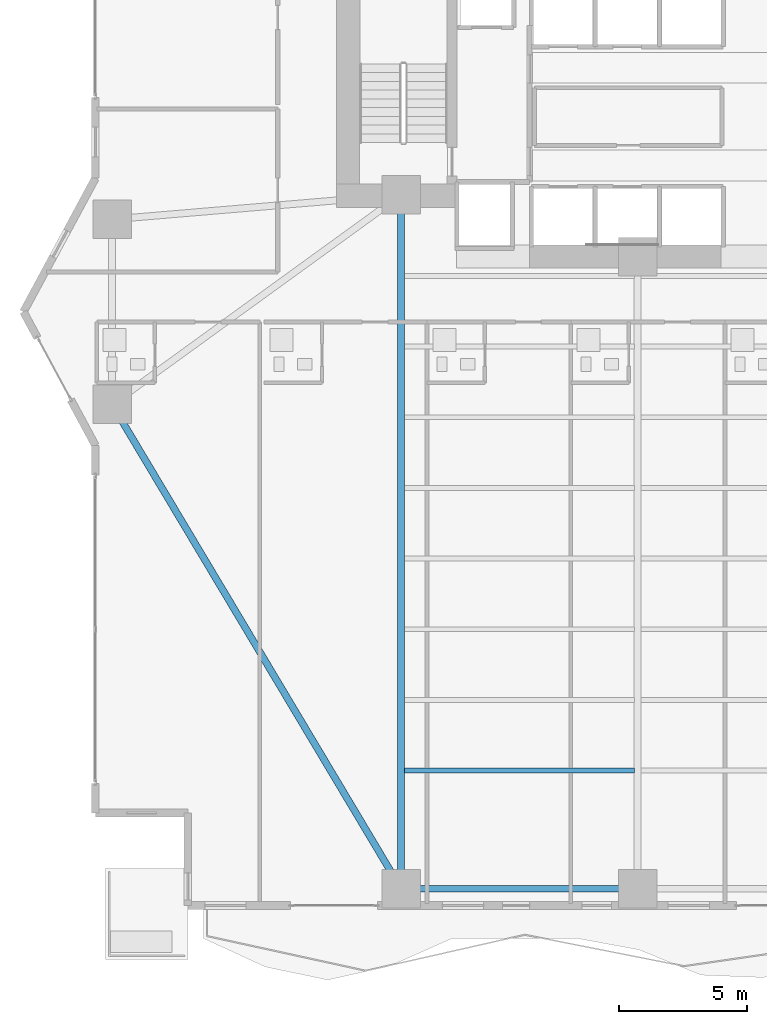
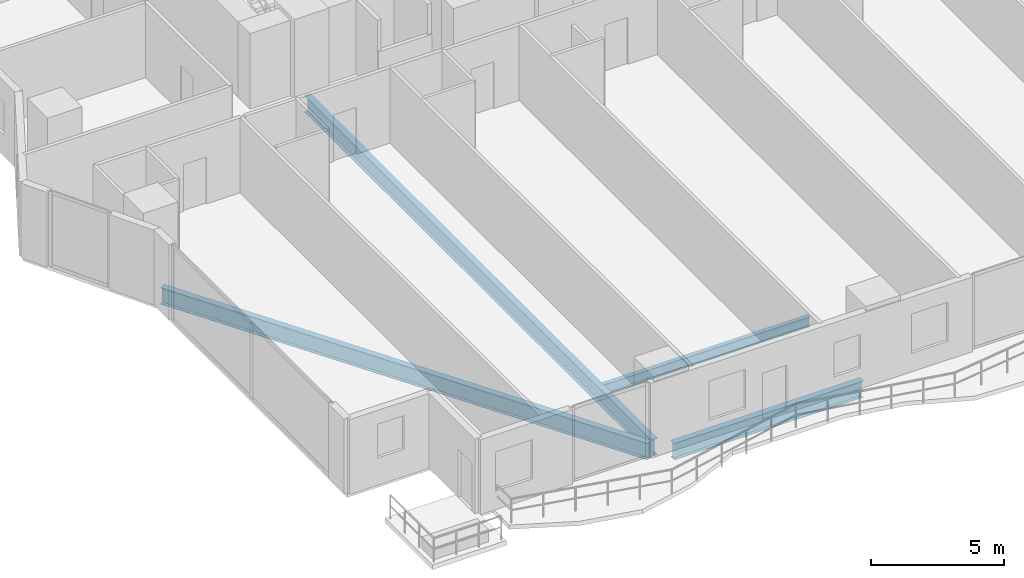
# One storey, part 3 of 28: 4 beams.
"""IFC4 building model written with IfcOpenShell, lengths in metres."""

from ifc_helpers import new_model, si_unit, direction, frame, origin, origin_2d, place, context, subcontext, project, spatial, i_section, extrude, material, material_profile, profile_set, type_object, element, save


model = new_model("IFC4")

# Units and contexts
model_context = context("Model", 3, precision=1e-05, world=origin(), true_north=direction((0.0, 1.0)))
body_context = subcontext(model_context, "Body", "Model", "MODEL_VIEW")
ifc_project = project(units=[si_unit("LENGTHUNIT", "METRE"), si_unit("AREAUNIT", "SQUARE_METRE"), si_unit("VOLUMEUNIT", "CUBIC_METRE"), si_unit("PLANEANGLEUNIT", "RADIAN"), si_unit("MASSUNIT", "GRAM", prefix="KILO")], contexts=[model_context])

# Site, building, storey
site_placement = place(None, origin())
site = spatial("IfcSite", under=ifc_project, at=site_placement, CompositionType="ELEMENT")
building_placement = place(site_placement, origin())
building = spatial("IfcBuilding", under=site, at=building_placement, Name="Zuhayl Quay Hotel", CompositionType="ELEMENT")
storey_placement = place(building_placement, frame((0.0, 0.0, 31.25)))
storey = spatial("IfcBuildingStorey", under=building, at=storey_placement, Name="L06", CompositionType="ELEMENT", Elevation=31.25)

# Beams
ifc_material = material(Name="Steel ASTM A992 Grade 50", Category="steel")
ifc_material_profile_1 = material_profile(ifc_material, i_section(OverallWidth=0.26708984375, OverallDepth=0.761962890625, WebThickness=0.014404296875, FlangeThickness=0.021484375, at=origin_2d()), Name="W30X116")
ifc_profile_set_1 = profile_set([ifc_material_profile_1], Name="Steel ASTM A992 Grade 50")
beam_type_1 = type_object("IfcBeamType", Name="BM_B1_W30X116", PredefinedType="BEAM", material=ifc_profile_set_1)
beam_1_placement = place(storey_placement, frame((-13.300048828125, -22.449951171875, -0.60107421875), z_axis=(1.0, 0.0, 0.0), x_axis=(0.0, 1.0, 0.0)))
element("IfcBeam", 1, at=beam_1_placement, inside=storey, type_object=beam_type_1, Name="L06 Floor Beam RG_L06_01", PredefinedType="BEAM", context=body_context, shape_type="SweptSolid", body=[
    extrude(i_section(OverallWidth=0.26708984375, OverallDepth=0.761962890625, WebThickness=0.014404296875, FlangeThickness=0.021484375, at=origin_2d()), origin(), (0.0, 0.0, 1.0), 8.199951171875),
])
beam_2_placement = place(storey_placement, frame((-24.793701171875, -4.029296875, -0.60107421875), z_axis=(0.512482593247, -0.85869761361, 0.0), x_axis=(0.85869761361, 0.512482593247, 0.0)))
element("IfcBeam", 2, at=beam_2_placement, inside=storey, type_object=beam_type_1, Name="L06 Floor Beam RG_L06_12", PredefinedType="BEAM", context=body_context, shape_type="SweptSolid", body=[
    extrude(i_section(OverallWidth=0.26708984375, OverallDepth=0.761962890625, WebThickness=0.014404296875, FlangeThickness=0.021484375, at=origin_2d()), origin(), (0.0, 0.0, 1.0), 20.9521484375),
])
beam_3_placement = place(storey_placement, frame((-13.800048828125, -21.949951171875, -0.60107421875), z_axis=(0.0, 1.0, 0.0), x_axis=(-1.0, 0.0, 0.0)))
element("IfcBeam", 3, at=beam_3_placement, inside=storey, type_object=beam_type_1, Name="L06 Floor Beam FG_S_L06_1", PredefinedType="BEAM", context=body_context, shape_type="SweptSolid", body=[
    extrude(i_section(OverallWidth=0.26708984375, OverallDepth=0.761962890625, WebThickness=0.014404296875, FlangeThickness=0.021484375, at=origin_2d()), origin(), (0.0, 0.0, 1.0), 26.050048828125),
])
ifc_material_profile_2 = material_profile(ifc_material, i_section(OverallWidth=0.18994140625, OverallDepth=0.45703125, WebThickness=0.009033203125, FlangeThickness=0.014404296875, at=origin_2d()), Name="W18X50")
ifc_profile_set_2 = profile_set([ifc_material_profile_2], Name="Steel ASTM A992 Grade 50")
beam_type_2 = type_object("IfcBeamType", Name="BM_J2_W18X50", PredefinedType="JOIST", material=ifc_profile_set_2)
beam_4_placement = place(storey_placement, frame((-13.674560546875, -17.85009765625, -0.448486328125), z_axis=(1.0, 0.0, 0.0), x_axis=(0.0, 1.0, 0.0)))
element("IfcBeam", 4, at=beam_4_placement, inside=storey, type_object=beam_type_2, Name="L06 Floor Beam FJ_L06_3_1", PredefinedType="JOIST", context=body_context, shape_type="SweptSolid", body=[
    extrude(i_section(OverallWidth=0.18994140625, OverallDepth=0.45703125, WebThickness=0.009033203125, FlangeThickness=0.014404296875, at=origin_2d()), origin(), (0.0, 0.0, 1.0), 8.948974609375),
])

save(model, "model.ifc")
